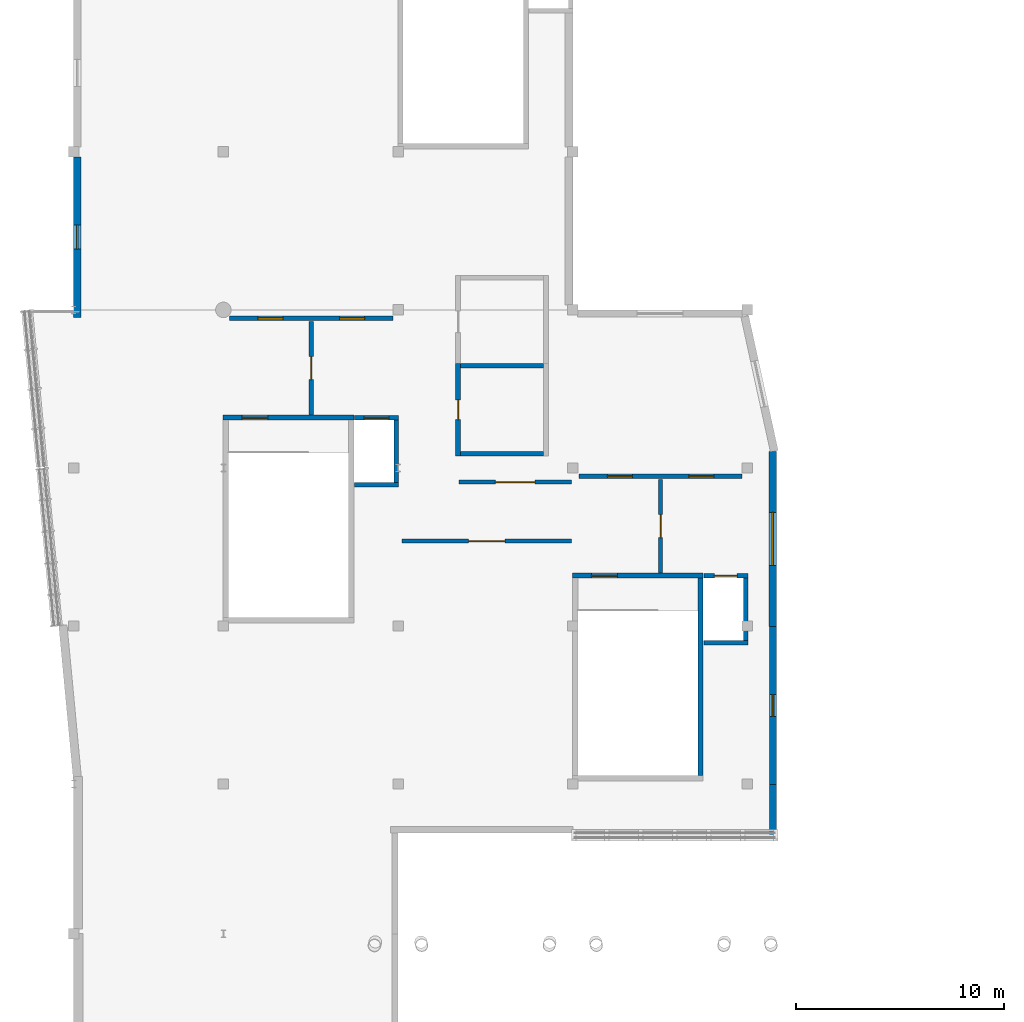
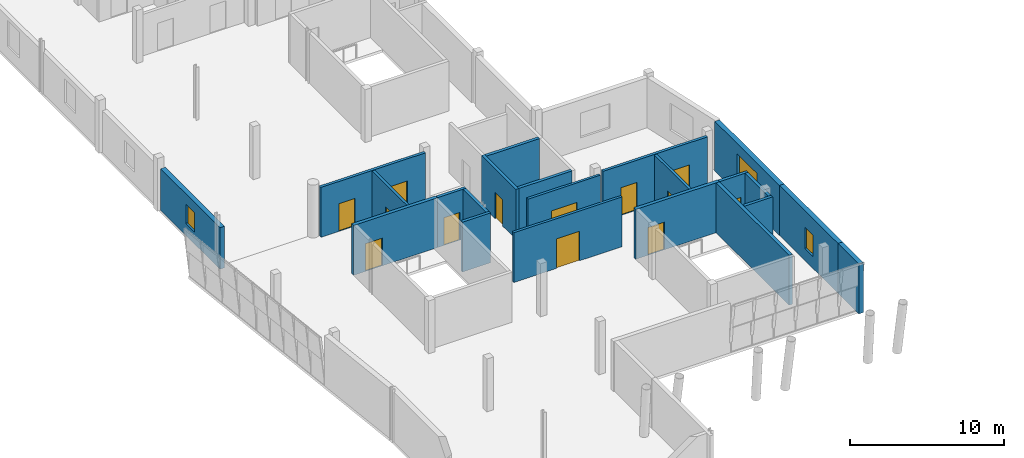
# One storey, part 11 of 17: 22 walls, 13 doors, 3 windows, 16 openings.
"""IFC4 building model written with IfcOpenShell, lengths in metres."""

from ifc_helpers import new_model, si_unit, direction, frame, frame_2d, origin, place, context, subcontext, project, spatial, rectangle, extrude, material, layer, layer_set, type_object, element, fill, save


model = new_model("IFC4")

# Units and contexts
model_context = context("Model", 3, precision=1e-05, world=origin(), true_north=direction((0.0, 1.0)))
body_context = subcontext(model_context, "Body", "Model", "MODEL_VIEW")
ifc_project = project(units=[si_unit("LENGTHUNIT", "METRE"), si_unit("AREAUNIT", "SQUARE_METRE"), si_unit("VOLUMEUNIT", "CUBIC_METRE"), si_unit("PLANEANGLEUNIT", "RADIAN"), si_unit("MASSUNIT", "GRAM", prefix="KILO")], contexts=[model_context])

# Site, building, storey
site_placement = place(None, origin())
site = spatial("IfcSite", under=ifc_project, at=site_placement, CompositionType="ELEMENT")
building_placement = place(site_placement, origin())
building = spatial("IfcBuilding", under=site, at=building_placement, Name="Xicomal Pleat Aquarium", CompositionType="ELEMENT")
storey_placement = place(building_placement, frame((0.0, 0.0, 19.800048828125)))
storey = spatial("IfcBuildingStorey", under=building, at=storey_placement, Name="L05", CompositionType="ELEMENT", Elevation=19.800048828125)

# Wall
ifc_material_1 = material(Name="Concrete C40/50", Category="concrete")
ifc_layer_1 = layer(ifc_material_1, 0.219970703125)
ifc_layer_set_1 = layer_set([ifc_layer_1], Name="Concrete C40/50")
wall_type_1 = type_object("IfcWallType", Name="WAL-COR-220", PredefinedType="SHEAR", material=ifc_layer_set_1)
wall_1_placement = place(storey_placement, frame((16.5, 29.590087890625, 0.0), z_axis=(0.0, 0.0, 1.0), x_axis=(1.0, 0.0, 0.0)))
element("IfcWall", 1, at=wall_1_placement, inside=storey, type_object=wall_type_1, Name="L05 LF-01 lift shaft wall CW-L05-C1-LS", PredefinedType="SHEAR", context=body_context, shape_type="SweptSolid", body=[
    extrude(rectangle(XDim=2.1201171875, YDim=0.219970703125, at=frame_2d((1.06005859375, 0.0))), origin(), (0.0, 0.0, 1.0), 3.9599609375),
])

# Wall, opening, door
wall_2_placement = place(storey_placement, frame((16.5, 32.81005859375, 0.0), z_axis=(0.0, 0.0, 1.0), x_axis=(1.0, 0.0, 0.0)))
wall_2 = element("IfcWall", 2, at=wall_2_placement, inside=storey, type_object=wall_type_1, Name="L05 LF-01 lift shaft wall CW-L05-C1-LN", PredefinedType="SHEAR", context=body_context, shape_type="SweptSolid", body=[
    extrude(rectangle(XDim=2.1201171875, YDim=0.219970703125, at=frame_2d((1.06005859375, 0.0))), origin(), (0.0, 0.0, 1.0), 3.9599609375),
])
opening_1_placement = place(wall_2_placement, frame((0.4599609375, 0.0, 0.0)))
opening_1 = element("IfcOpeningElement", 3, at=opening_1_placement, cuts=wall_2, Name="Opening LD-01-L05", PredefinedType="OPENING", context=body_context, shape_type="SweptSolid", body=[
    extrude(rectangle(XDim=1.199951171875, YDim=2.199951171875, at=frame_2d((0.60009765625, 1.10009765625))), frame((0.0, 0.119873046875, 0.0), z_axis=(0.0, -1.0, 0.0), x_axis=(1.0, 0.0, 0.0)), (0.0, 0.0, 1.0), 0.239990234375),
])
ifc_material_2 = material(Name="Brushed stainless steel 304", Category="steel")
door_type_1 = type_object("IfcDoorType", Name="DOR-LD-1200x2200", OperationType="DOUBLE_DOOR_SLIDING", PredefinedType="DOOR", material=ifc_material_2)
door_1_placement = place(opening_1_placement, origin())
door_1 = element("IfcDoor", 4, at=door_1_placement, inside=storey, type_object=door_type_1, Name="L05 LF-01 sliding lift landing door", OperationType="DOUBLE_DOOR_SLIDING", OverallHeight=2.199951171875, OverallWidth=1.199951171875, PredefinedType="DOOR", context=body_context, shape_type="SweptSolid", body=[
    extrude(rectangle(XDim=1.199951171875, YDim=2.199951171875, at=frame_2d((0.60009765625, 1.10009765625))), frame((0.0, 0.02490234375, 0.0), z_axis=(0.0, -1.0, 0.0), x_axis=(1.0, 0.0, 0.0)), (0.0, 0.0, 1.0), 0.050048828125),
])
fill(opening_1, door_1)

# Walls
wall_3_placement = place(storey_placement, frame((18.510009765625, 29.699951171875, 0.0), z_axis=(0.0, 0.0, 1.0), x_axis=(0.0, 1.0, 0.0)))
element("IfcWall", 5, at=wall_3_placement, inside=storey, type_object=wall_type_1, Name="L05 LF-01 lift shaft wall CW-L05-C1-LE", PredefinedType="SHEAR", context=body_context, shape_type="SweptSolid", body=[
    extrude(rectangle(XDim=3.0, YDim=0.219970703125, at=frame_2d((1.5, 0.0))), origin(), (0.0, 0.0, 1.0), 3.9599609375),
])
wall_4_placement = place(storey_placement, frame((33.300048828125, 21.989990234375, 0.0), z_axis=(0.0, 0.0, 1.0), x_axis=(1.0, 0.0, 0.0)))
element("IfcWall", 6, at=wall_4_placement, inside=storey, type_object=wall_type_1, Name="L05 LF-02 lift shaft wall CW-L05-C2-LS", PredefinedType="SHEAR", context=body_context, shape_type="SweptSolid", body=[
    extrude(rectangle(XDim=2.119873046875, YDim=0.219970703125, at=frame_2d((1.06005859375, 0.0))), origin(), (0.0, 0.0, 1.0), 3.9599609375),
])

# Wall, opening, door
wall_5_placement = place(storey_placement, frame((33.300048828125, 25.2099609375, 0.0), z_axis=(0.0, 0.0, 1.0), x_axis=(1.0, 0.0, 0.0)))
wall_5 = element("IfcWall", 7, at=wall_5_placement, inside=storey, type_object=wall_type_1, Name="L05 LF-02 lift shaft wall CW-L05-C2-LN", PredefinedType="SHEAR", context=body_context, shape_type="SweptSolid", body=[
    extrude(rectangle(XDim=2.119873046875, YDim=0.219970703125, at=frame_2d((1.06005859375, 0.0))), origin(), (0.0, 0.0, 1.0), 3.9599609375),
])
opening_2_placement = place(wall_5_placement, frame((0.510009765625, 0.0, 0.0)))
opening_2 = element("IfcOpeningElement", 8, at=opening_2_placement, cuts=wall_5, Name="Opening LD-02-L05", PredefinedType="OPENING", context=body_context, shape_type="SweptSolid", body=[
    extrude(rectangle(XDim=1.10009765625, YDim=2.14990234375, at=frame_2d((0.550048828125, 1.074951171875))), frame((0.0, 0.119873046875, 0.0), z_axis=(0.0, -1.0, 0.0), x_axis=(1.0, 0.0, 0.0)), (0.0, 0.0, 1.0), 0.239990234375),
])
ifc_material_3 = material(Name="Brushed stainless steel 304", Category="steel")
door_type_2 = type_object("IfcDoorType", Name="DOR-LD-1100x2150", OperationType="DOUBLE_DOOR_SLIDING", PredefinedType="DOOR", material=ifc_material_3)
door_2_placement = place(opening_2_placement, origin())
door_2 = element("IfcDoor", 9, at=door_2_placement, inside=storey, type_object=door_type_2, Name="L05 LF-02 sliding lift landing door", OperationType="DOUBLE_DOOR_SLIDING", OverallHeight=2.14990234375, OverallWidth=1.10009765625, PredefinedType="DOOR", context=body_context, shape_type="SweptSolid", body=[
    extrude(rectangle(XDim=1.10009765625, YDim=2.14990234375, at=frame_2d((0.550048828125, 1.074951171875))), frame((0.0, 0.02490234375, 0.0), z_axis=(0.0, -1.0, 0.0), x_axis=(1.0, 0.0, 0.0)), (0.0, 0.0, 1.0), 0.050048828125),
])
fill(opening_2, door_2)

# Wall
wall_6_placement = place(storey_placement, frame((35.31005859375, 22.10009765625, 0.0), z_axis=(0.0, 0.0, 1.0), x_axis=(0.0, 1.0, 0.0)))
element("IfcWall", 10, at=wall_6_placement, inside=storey, type_object=wall_type_1, Name="L05 LF-02 lift shaft wall CW-L05-C2-LE", PredefinedType="SHEAR", context=body_context, shape_type="SweptSolid", body=[
    extrude(rectangle(XDim=3.0, YDim=0.219970703125, at=frame_2d((1.5, 0.0))), origin(), (0.0, 0.0, 1.0), 3.9599609375),
])

# Wall, opening, door
ifc_material_4 = material(Name="Concrete C40/50", Category="concrete")
ifc_layer_2 = layer(ifc_material_4, 0.25)
ifc_layer_set_2 = layer_set([ifc_layer_2], Name="Concrete C40/50")
wall_type_2 = type_object("IfcWallType", Name="WAL-COR-250", PredefinedType="SHEAR", material=ifc_layer_set_2)
wall_7_placement = place(storey_placement, frame((10.18994140625, 32.824951171875, 0.0), z_axis=(0.0, 0.0, 1.0), x_axis=(1.0, 0.0, 0.0)))
wall_7 = element("IfcWall", 11, at=wall_7_placement, inside=storey, type_object=wall_type_2, Name="L05 CORE-1 stair shear wall CW-L05-C1-SN", PredefinedType="SHEAR", context=body_context, shape_type="SweptSolid", body=[
    extrude(rectangle(XDim=6.280029296875, YDim=0.25, at=frame_2d((3.14013671875, 0.0))), origin(), (0.0, 0.0, 1.0), 3.9599609375),
])
opening_3_placement = place(wall_7_placement, frame((0.89990234375, 0.0, 0.0)))
opening_3 = element("IfcOpeningElement", 12, at=opening_3_placement, cuts=wall_7, Name="Opening SD-01-L05", PredefinedType="OPENING", context=body_context, shape_type="SweptSolid", body=[
    extrude(rectangle(XDim=1.25, YDim=2.199951171875, at=frame_2d((0.625, 1.10009765625))), frame((0.0, 0.135009765625, 0.0), z_axis=(0.0, -1.0, 0.0), x_axis=(1.0, 0.0, 0.0)), (0.0, 0.0, 1.0), 0.27001953125),
])
ifc_material_5 = material(Name="Powder-coated steel fire door", Category="steel")
door_type_3 = type_object("IfcDoorType", Name="DOR-ST-1250x2200", OperationType="NOTDEFINED", PredefinedType="DOOR", material=ifc_material_5)
door_3_placement = place(opening_3_placement, origin())
door_3 = element("IfcDoor", 13, at=door_3_placement, inside=storey, type_object=door_type_3, Name="L05 ST-01 protected stair door", OperationType="SINGLE_SWING_LEFT", OverallHeight=2.199951171875, OverallWidth=1.25, PredefinedType="DOOR", context=body_context, shape_type="SweptSolid", body=[
    extrude(rectangle(XDim=1.25, YDim=2.199951171875, at=frame_2d((0.625, 1.10009765625))), frame((0.0, 0.02490234375, 0.0), z_axis=(0.0, -1.0, 0.0), x_axis=(1.0, 0.0, 0.0)), (0.0, 0.0, 1.0), 0.050048828125),
])
fill(opening_3, door_3)

wall_8_placement = place(storey_placement, frame((26.989990234375, 25.22509765625, 0.0), z_axis=(0.0, 0.0, 1.0), x_axis=(1.0, 0.0, 0.0)))
wall_8 = element("IfcWall", 14, at=wall_8_placement, inside=storey, type_object=wall_type_2, Name="L05 CORE-2 stair shear wall CW-L05-C2-SN", PredefinedType="SHEAR", context=body_context, shape_type="SweptSolid", body=[
    extrude(rectangle(XDim=6.280029296875, YDim=0.25, at=frame_2d((3.14013671875, 0.0))), origin(), (0.0, 0.0, 1.0), 3.9599609375),
])
opening_4_placement = place(wall_8_placement, frame((0.89990234375, 0.0, 0.0)))
opening_4 = element("IfcOpeningElement", 15, at=opening_4_placement, cuts=wall_8, Name="Opening SD-02-L05", PredefinedType="OPENING", context=body_context, shape_type="SweptSolid", body=[
    extrude(rectangle(XDim=1.25, YDim=2.199951171875, at=frame_2d((0.625, 1.10009765625))), frame((0.0, 0.135009765625, 0.0), z_axis=(0.0, -1.0, 0.0), x_axis=(1.0, 0.0, 0.0)), (0.0, 0.0, 1.0), 0.27001953125),
])
door_4_placement = place(opening_4_placement, origin())
door_4 = element("IfcDoor", 16, at=door_4_placement, inside=storey, type_object=door_type_3, Name="L05 ST-02 protected stair door", OperationType="SINGLE_SWING_LEFT", OverallHeight=2.199951171875, OverallWidth=1.25, PredefinedType="DOOR", context=body_context, shape_type="SweptSolid", body=[
    extrude(rectangle(XDim=1.25, YDim=2.199951171875, at=frame_2d((0.625, 1.10009765625))), frame((0.0, 0.02490234375, 0.0), z_axis=(0.0, -1.0, 0.0), x_axis=(1.0, 0.0, 0.0)), (0.0, 0.0, 1.0), 0.050048828125),
])
fill(opening_4, door_4)

# Wall
wall_9_placement = place(storey_placement, frame((33.14501953125, 15.60009765625, 0.0), z_axis=(0.0, 0.0, 1.0), x_axis=(0.0, 1.0, 0.0)))
element("IfcWall", 17, at=wall_9_placement, inside=storey, type_object=wall_type_2, Name="L05 CORE-2 stair shear wall CW-L05-C2-SE", PredefinedType="SHEAR", context=body_context, shape_type="SweptSolid", body=[
    extrude(rectangle(XDim=9.5, YDim=0.25, at=frame_2d((4.75, 0.0))), origin(), (0.0, 0.0, 1.0), 3.9599609375),
])

# Wall, opening, window
ifc_material_6 = material(Name="Volcanic basalt recinto masonry and concrete C40/50", Category="masonry")
ifc_layer_3 = layer(ifc_material_6, 0.35009765625)
ifc_layer_set_3 = layer_set([ifc_layer_3], Name="Volcanic basalt recinto masonry and concrete C40/50")
wall_type_3 = type_object("IfcWallType", Name="WAL-EXT-BAS-350", PredefinedType="SOLIDWALL", material=ifc_layer_set_3)
wall_10_placement = place(storey_placement, frame((36.625, 22.780029296875, 0.0), z_axis=(0.0, 0.0, 1.0), x_axis=(0.0, -1.0, 0.0)))
wall_10 = element("IfcWall", 18, at=wall_10_placement, inside=storey, type_object=wall_type_3, Name="L05 exterior basalt-precast wall EW-L05-013", PredefinedType="SOLIDWALL", context=body_context, shape_type="SweptSolid", body=[
    extrude(rectangle(XDim=7.60009765625, YDim=0.35009765625, at=frame_2d((3.800048828125, 0.0))), origin(), (0.0, 0.0, 1.0), 3.9599609375),
])
opening_5_placement = place(wall_10_placement, frame((3.27490234375, 0.0, 0.949951171875)))
opening_5 = element("IfcOpeningElement", 19, at=opening_5_placement, cuts=wall_10, Name="Opening WN-14", PredefinedType="OPENING", context=body_context, shape_type="SweptSolid", body=[
    extrude(rectangle(XDim=1.050048828125, YDim=1.699951171875, at=frame_2d((0.52490234375, 0.85009765625))), frame((0.0, 0.18505859375, 0.0), z_axis=(0.0, -1.0, 0.0), x_axis=(1.0, 0.0, 0.0)), (0.0, 0.0, 1.0), 0.3701171875),
])
ifc_material_7 = material(Name="Insulated low-E laminated glass", Category="glass")
window_type_1 = type_object("IfcWindowType", Name="WIN-EXT-1050x1700", PartitioningType="SINGLE_PANEL", PredefinedType="WINDOW", material=ifc_material_7)
window_1_placement = place(opening_5_placement, origin())
window_1 = element("IfcWindow", 20, at=window_1_placement, inside=storey, type_object=window_type_1, Name="L05 thermally broken low-E window 86", OverallHeight=1.699951171875, OverallWidth=1.050048828125, PartitioningType="SINGLE_PANEL", PredefinedType="WINDOW", context=body_context, shape_type="SweptSolid", body=[
    extrude(rectangle(XDim=1.050048828125, YDim=1.699951171875, at=frame_2d((0.52490234375, 0.85009765625))), frame((0.0, 0.030029296875, 0.0), z_axis=(0.0, -1.0, 0.0), x_axis=(1.0, 0.0, 0.0)), (0.0, 0.0, 1.0), 0.06005859375),
])
fill(opening_5, window_1)

wall_11_placement = place(storey_placement, frame((3.175048828125, 37.639892578125, 0.0), z_axis=(0.0, 0.0, 1.0), x_axis=(0.0, 1.0, 0.0)))
wall_11 = element("IfcWall", 21, at=wall_11_placement, inside=storey, type_object=wall_type_3, Name="L05 exterior basalt-precast wall EW-L05-026", PredefinedType="SOLIDWALL", context=body_context, shape_type="SweptSolid", body=[
    extrude(rectangle(XDim=7.72509765625, YDim=0.35009765625, at=frame_2d((3.862548828125, 0.0))), origin(), (0.0, 0.0, 1.0), 3.304931640625),
])
opening_6_placement = place(wall_11_placement, frame((3.2880859375, 0.0, 0.949951171875)))
opening_6 = element("IfcOpeningElement", 22, at=opening_6_placement, cuts=wall_11, Name="Opening WN-15", PredefinedType="OPENING", context=body_context, shape_type="SweptSolid", body=[
    extrude(rectangle(XDim=1.14990234375, YDim=1.550048828125, at=frame_2d((0.574951171875, 0.77490234375))), frame((0.0, 0.18505859375, 0.0), z_axis=(0.0, -1.0, 0.0), x_axis=(1.0, 0.0, 0.0)), (0.0, 0.0, 1.0), 0.3701171875),
])
ifc_material_8 = material(Name="Insulated low-E laminated glass", Category="glass")
window_type_2 = type_object("IfcWindowType", Name="WIN-EXT-1150x1550", PartitioningType="SINGLE_PANEL", PredefinedType="WINDOW", material=ifc_material_8)
window_2_placement = place(opening_6_placement, origin())
window_2 = element("IfcWindow", 23, at=window_2_placement, inside=storey, type_object=window_type_2, Name="L05 thermally broken low-E window 87", OverallHeight=1.550048828125, OverallWidth=1.14990234375, PartitioningType="SINGLE_PANEL", PredefinedType="WINDOW", context=body_context, shape_type="SweptSolid", body=[
    extrude(rectangle(XDim=1.14990234375, YDim=1.550048828125, at=frame_2d((0.574951171875, 0.77490234375))), frame((0.0, 0.030029296875, 0.0), z_axis=(0.0, -1.0, 0.0), x_axis=(1.0, 0.0, 0.0)), (0.0, 0.0, 1.0), 0.06005859375),
])
fill(opening_6, window_2)

ifc_material_9 = material(Name="Volcanic basalt recinto masonry and concrete C40/50", Category="masonry")
ifc_layer_4 = layer(ifc_material_9, 0.364990234375)
ifc_layer_set_4 = layer_set([ifc_layer_4], Name="Volcanic basalt recinto masonry and concrete C40/50")
wall_type_4 = type_object("IfcWallType", Name="WAL-EXT-BAS-365", PredefinedType="SOLIDWALL", material=ifc_layer_set_4)
wall_12_placement = place(storey_placement, frame((36.616943359375, 31.19189453125, 0.0), z_axis=(0.0, 0.0, 1.0), x_axis=(0.0, -1.0, 0.0)))
wall_12 = element("IfcWall", 24, at=wall_12_placement, inside=storey, type_object=wall_type_4, Name="L05 exterior basalt-precast wall EW-L05-012", PredefinedType="SOLIDWALL", context=body_context, shape_type="SweptSolid", body=[
    extrude(rectangle(XDim=8.411865234375, YDim=0.364990234375, at=frame_2d((4.2060546875, 0.0))), origin(), (0.0, 0.0, 1.0), 3.9599609375),
])
opening_7_placement = place(wall_12_placement, frame((2.930908203125, 0.0, 0.949951171875)))
opening_7 = element("IfcOpeningElement", 25, at=opening_7_placement, cuts=wall_12, Name="Opening WN-13", PredefinedType="OPENING", context=body_context, shape_type="SweptSolid", body=[
    extrude(rectangle(XDim=2.550048828125, YDim=2.199951171875, at=frame_2d((1.27490234375, 1.10009765625))), frame((0.0, 0.1923828125, 0.0), z_axis=(0.0, -1.0, 0.0), x_axis=(1.0, 0.0, 0.0)), (0.0, 0.0, 1.0), 0.385009765625),
])
ifc_material_10 = material(Name="Insulated low-E laminated glass", Category="glass")
window_type_3 = type_object("IfcWindowType", Name="WIN-EXT-2550x2200", PartitioningType="DOUBLE_PANEL_VERTICAL", PredefinedType="WINDOW", material=ifc_material_10)
window_3_placement = place(opening_7_placement, origin())
window_3 = element("IfcWindow", 26, at=window_3_placement, inside=storey, type_object=window_type_3, Name="L05 thermally broken low-E window 85", OverallHeight=2.199951171875, OverallWidth=2.550048828125, PartitioningType="SINGLE_PANEL", PredefinedType="WINDOW", context=body_context, shape_type="SweptSolid", body=[
    extrude(rectangle(XDim=2.550048828125, YDim=2.199951171875, at=frame_2d((1.27490234375, 1.10009765625))), frame((0.0, 0.030029296875, 0.0), z_axis=(0.0, -1.0, 0.0), x_axis=(1.0, 0.0, 0.0)), (0.0, 0.0, 1.0), 0.06005859375),
])
fill(opening_7, window_3)

# Wall
ifc_material_11 = material(Name="Precast concrete C40/50", Category="concrete")
ifc_layer_5 = layer(ifc_material_11, 0.340087890625)
ifc_layer_set_5 = layer_set([ifc_layer_5], Name="Precast concrete C40/50")
wall_type_5 = type_object("IfcWallType", Name="WAL-EXT-PRC-340", PredefinedType="SOLIDWALL", material=ifc_layer_set_5)
wall_13_placement = place(storey_placement, frame((36.6298828125, 15.179931640625, 0.0), z_axis=(0.0, 0.0, 1.0), x_axis=(0.0, -1.0, 0.0)))
element("IfcWall", 27, at=wall_13_placement, inside=storey, type_object=wall_type_5, Name="L05 exterior basalt-precast wall EW-L05-014", PredefinedType="SOLIDWALL", context=body_context, shape_type="SweptSolid", body=[
    extrude(rectangle(XDim=2.699951171875, YDim=0.340087890625, at=frame_2d((1.35009765625, 0.0))), origin(), (0.0, 0.0, 1.0), 3.9599609375),
])

# Wall, opening, door
ifc_material_12 = material(Name="Water-resistant cement-board wet-lab partition", Category="gypsum")
ifc_layer_6 = layer(ifc_material_12, 0.22998046875)
ifc_layer_set_6 = layer_set([ifc_layer_6], Name="Water-resistant cement-board wet-lab partition")
wall_type_6 = type_object("IfcWallType", Name="WAL-PLB-230", PredefinedType="PLUMBINGWALL", material=ifc_layer_set_6)
wall_14_placement = place(storey_placement, frame((21.485107421875, 30.969970703125, 0.0), z_axis=(0.0, 0.0, 1.0), x_axis=(0.0, 1.0, 0.0)))
wall_14 = element("IfcWall", 28, at=wall_14_placement, inside=storey, type_object=wall_type_6, Name="L05 enclosed toilet partition PT-L05-075", PredefinedType="PLUMBINGWALL", context=body_context, shape_type="SweptSolid", body=[
    extrude(rectangle(XDim=4.4599609375, YDim=0.22998046875, at=frame_2d((2.22998046875, 0.0))), origin(), (0.0, 0.0, 1.0), 3.949951171875),
])
opening_8_placement = place(wall_14_placement, frame((1.7548828125, 0.0, 0.0)))
opening_8 = element("IfcOpeningElement", 29, at=opening_8_placement, cuts=wall_14, Name="Opening DR-L05-041", PredefinedType="OPENING", context=body_context, shape_type="SweptSolid", body=[
    extrude(rectangle(XDim=0.949951171875, YDim=2.10009765625, at=frame_2d((0.47509765625, 1.050048828125))), frame((0.0, 0.125, 0.0), z_axis=(0.0, -1.0, 0.0), x_axis=(1.0, 0.0, 0.0)), (0.0, 0.0, 1.0), 0.25),
])
ifc_material_13 = material(Name="Solid-core hardwood and anodized aluminium frame", Category="wood")
door_type_4 = type_object("IfcDoorType", Name="DOR-WC-0950x2100", OperationType="NOTDEFINED", PredefinedType="DOOR", material=ifc_material_13)
door_5_placement = place(opening_8_placement, origin())
door_5 = element("IfcDoor", 30, at=door_5_placement, inside=storey, type_object=door_type_4, Name="L05 Public Toilet door DR-L05-041", OperationType="SINGLE_SWING_RIGHT", OverallHeight=2.10009765625, OverallWidth=0.949951171875, PredefinedType="DOOR", context=body_context, shape_type="SweptSolid", body=[
    extrude(rectangle(XDim=0.949951171875, YDim=2.10009765625, at=frame_2d((0.47509765625, 1.050048828125))), frame((0.0, 0.02490234375, 0.0), z_axis=(0.0, -1.0, 0.0), x_axis=(1.0, 0.0, 0.0)), (0.0, 0.0, 1.0), 0.050048828125),
])
fill(opening_8, door_5)

# Walls
for number, where, z_axis, x_axis, name in (
    (31, (21.60009765625, 31.0849609375, 0.0), (0.0, 0.0, 1.0), (1.0, 0.0, 0.0), "L05 enclosed toilet partition PT-L05-077"),
    (32, (21.60009765625, 35.31494140625, 0.0), (0.0, 0.0, 1.0), (1.0, 0.0, 0.0), "L05 enclosed toilet partition PT-L05-078"),
):
    element("IfcWall", number, at=place(storey_placement, frame(where, z_axis=z_axis, x_axis=x_axis)), inside=storey, type_object=wall_type_6, Name=name, PredefinedType="PLUMBINGWALL", context=body_context, shape_type="SweptSolid", body=[
        extrude(rectangle(XDim=4.0, YDim=0.22998046875, at=frame_2d((2.0, 0.0))), origin(), (0.0, 0.0, 1.0), 3.949951171875),
    ])

# Wall, opening, door
ifc_material_14 = material(Name="Acoustic double-stud drywall partition", Category="gypsum")
ifc_layer_7 = layer(ifc_material_14, 0.18798828125)
ifc_layer_set_7 = layer_set([ifc_layer_7], Name="Acoustic double-stud drywall partition")
wall_type_7 = type_object("IfcWallType", Name="WAL-PRT-188", PredefinedType="PARTITIONING", material=ifc_layer_set_7)
wall_15_placement = place(storey_placement, frame((26.93994140625, 29.719970703125, 0.0), z_axis=(0.0, 0.0, 1.0), x_axis=(-1.0, 0.0, 0.0)))
wall_15 = element("IfcWall", 33, at=wall_15_placement, inside=storey, type_object=wall_type_7, Name="L05 interior partition PT-L05-086", PredefinedType="PARTITIONING", context=body_context, shape_type="SweptSolid", body=[
    extrude(rectangle(XDim=5.419921875, YDim=0.18798828125, at=frame_2d((2.7099609375, 0.0))), origin(), (0.0, 0.0, 1.0), 3.949951171875),
])
opening_9_placement = place(wall_15_placement, frame((1.760009765625, 0.0, 0.0)))
opening_9 = element("IfcOpeningElement", 34, at=opening_9_placement, cuts=wall_15, Name="Opening DR-L05-045", PredefinedType="OPENING", context=body_context, shape_type="SweptSolid", body=[
    extrude(rectangle(XDim=1.89990234375, YDim=2.39990234375, at=frame_2d((0.949951171875, 1.199951171875))), frame((0.0, 0.10400390625, 0.0), z_axis=(0.0, -1.0, 0.0), x_axis=(1.0, 0.0, 0.0)), (0.0, 0.0, 1.0), 0.2080078125),
])
ifc_material_15 = material(Name="Powder-coated steel fire door", Category="steel")
door_type_5 = type_object("IfcDoorType", Name="DOR-INT-1900x2400", OperationType="DOUBLE_DOOR_SINGLE_SWING", PredefinedType="DOOR", material=ifc_material_15)
door_6_placement = place(opening_9_placement, origin())
door_6 = element("IfcDoor", 35, at=door_6_placement, inside=storey, type_object=door_type_5, Name="L05 Ambystoma Breeding Research Laboratory door DR-L05-045", OperationType="DOUBLE_DOOR_SINGLE_SWING", OverallHeight=2.39990234375, OverallWidth=1.89990234375, PredefinedType="DOOR", context=body_context, shape_type="SweptSolid", body=[
    extrude(rectangle(XDim=1.89990234375, YDim=2.39990234375, at=frame_2d((0.949951171875, 1.199951171875))), frame((0.0, 0.02490234375, 0.0), z_axis=(0.0, -1.0, 0.0), x_axis=(1.0, 0.0, 0.0)), (0.0, 0.0, 1.0), 0.050048828125),
])
fill(opening_9, door_6)

ifc_material_16 = material(Name="Acoustic double-stud drywall partition", Category="gypsum")
ifc_layer_8 = layer(ifc_material_16, 0.195068359375)
ifc_layer_set_8 = layer_set([ifc_layer_8], Name="Acoustic double-stud drywall partition")
wall_type_8 = type_object("IfcWallType", Name="WAL-PRT-195", PredefinedType="PARTITIONING", material=ifc_layer_set_8)
wall_16_placement = place(storey_placement, frame((14.425048828125, 32.949951171875, 0.0), z_axis=(0.0, 0.0, 1.0), x_axis=(0.0, 1.0, 0.0)))
wall_16 = element("IfcWall", 36, at=wall_16_placement, inside=storey, type_object=wall_type_8, Name="L05 firefighting lobby smoke divider 1", PredefinedType="PARTITIONING", context=body_context, shape_type="SweptSolid", body=[
    extrude(rectangle(XDim=4.5, YDim=0.195068359375, at=frame_2d((2.25, 0.0))), origin(), (0.0, 0.0, 1.0), 3.9599609375),
])
opening_10_placement = place(wall_16_placement, frame((1.699951171875, 0.0, 0.0)))
opening_10 = element("IfcOpeningElement", 37, at=opening_10_placement, cuts=wall_16, Name="Opening FD-01C-L05", PredefinedType="OPENING", context=body_context, shape_type="SweptSolid", body=[
    extrude(rectangle(XDim=1.10009765625, YDim=2.14990234375, at=frame_2d((0.550048828125, 1.074951171875))), frame((0.0, 0.107421875, 0.0), z_axis=(0.0, -1.0, 0.0), x_axis=(1.0, 0.0, 0.0)), (0.0, 0.0, 1.0), 0.215087890625),
])
ifc_material_17 = material(Name="Powder-coated steel fire door", Category="steel")
door_type_6 = type_object("IfcDoorType", Name="DOR-LAB-1100x2150", OperationType="NOTDEFINED", PredefinedType="DOOR", material=ifc_material_17)
door_7_placement = place(opening_10_placement, origin())
door_7 = element("IfcDoor", 38, at=door_7_placement, inside=storey, type_object=door_type_6, Name="L05 lobby interconnecting fire door 1C", OperationType="SINGLE_SWING_RIGHT", OverallHeight=2.14990234375, OverallWidth=1.10009765625, PredefinedType="DOOR", context=body_context, shape_type="SweptSolid", body=[
    extrude(rectangle(XDim=1.10009765625, YDim=2.14990234375, at=frame_2d((0.550048828125, 1.074951171875))), frame((0.0, 0.02490234375, 0.0), z_axis=(0.0, -1.0, 0.0), x_axis=(1.0, 0.0, 0.0)), (0.0, 0.0, 1.0), 0.050048828125),
])
fill(opening_10, door_7)

wall_17_placement = place(storey_placement, frame((31.22509765625, 25.35009765625, 0.0), z_axis=(0.0, 0.0, 1.0), x_axis=(0.0, 1.0, 0.0)))
wall_17 = element("IfcWall", 39, at=wall_17_placement, inside=storey, type_object=wall_type_8, Name="L05 firefighting lobby smoke divider 2", PredefinedType="PARTITIONING", context=body_context, shape_type="SweptSolid", body=[
    extrude(rectangle(XDim=4.5, YDim=0.195068359375, at=frame_2d((2.25, 0.0))), origin(), (0.0, 0.0, 1.0), 3.9599609375),
])
opening_11_placement = place(wall_17_placement, frame((1.699951171875, 0.0, 0.0)))
opening_11 = element("IfcOpeningElement", 40, at=opening_11_placement, cuts=wall_17, Name="Opening FD-02C-L05", PredefinedType="OPENING", context=body_context, shape_type="SweptSolid", body=[
    extrude(rectangle(XDim=1.10009765625, YDim=2.14990234375, at=frame_2d((0.550048828125, 1.074951171875))), frame((0.0, 0.107421875, 0.0), z_axis=(0.0, -1.0, 0.0), x_axis=(1.0, 0.0, 0.0)), (0.0, 0.0, 1.0), 0.215087890625),
])
door_8_placement = place(opening_11_placement, origin())
door_8 = element("IfcDoor", 41, at=door_8_placement, inside=storey, type_object=door_type_6, Name="L05 lobby interconnecting fire door 2C", OperationType="SINGLE_SWING_RIGHT", OverallHeight=2.14990234375, OverallWidth=1.10009765625, PredefinedType="DOOR", context=body_context, shape_type="SweptSolid", body=[
    extrude(rectangle(XDim=1.10009765625, YDim=2.14990234375, at=frame_2d((0.550048828125, 1.074951171875))), frame((0.0, 0.02490234375, 0.0), z_axis=(0.0, -1.0, 0.0), x_axis=(1.0, 0.0, 0.0)), (0.0, 0.0, 1.0), 0.050048828125),
])
fill(opening_11, door_8)

wall_18_placement = place(storey_placement, frame((18.800048828125, 26.8798828125, 0.0), z_axis=(0.0, 0.0, 1.0), x_axis=(1.0, 0.0, 0.0)))
wall_18 = element("IfcWall", 42, at=wall_18_placement, inside=storey, type_object=wall_type_8, Name="L05 interior partition PT-L05-085", PredefinedType="PARTITIONING", context=body_context, shape_type="SweptSolid", body=[
    extrude(rectangle(XDim=8.139892578125, YDim=0.195068359375, at=frame_2d((4.06982421875, 0.0))), origin(), (0.0, 0.0, 1.0), 3.949951171875),
])
opening_12_placement = place(wall_18_placement, frame((3.195068359375, 0.0, 0.0)))
opening_12 = element("IfcOpeningElement", 43, at=opening_12_placement, cuts=wall_18, Name="Opening DR-L05-044", PredefinedType="OPENING", context=body_context, shape_type="SweptSolid", body=[
    extrude(rectangle(XDim=1.75, YDim=2.35009765625, at=frame_2d((0.875, 1.175048828125))), frame((0.0, 0.107421875, 0.0), z_axis=(0.0, -1.0, 0.0), x_axis=(1.0, 0.0, 0.0)), (0.0, 0.0, 1.0), 0.215087890625),
])
ifc_material_18 = material(Name="Powder-coated steel fire door", Category="steel")
door_type_7 = type_object("IfcDoorType", Name="DOR-INT-1750x2350", OperationType="DOUBLE_DOOR_SINGLE_SWING", PredefinedType="DOOR", material=ifc_material_18)
door_9_placement = place(opening_12_placement, origin())
door_9 = element("IfcDoor", 44, at=door_9_placement, inside=storey, type_object=door_type_7, Name="L05 Panoramic Volcanic-View Cafe door DR-L05-044", OperationType="DOUBLE_DOOR_SINGLE_SWING", OverallHeight=2.35009765625, OverallWidth=1.75, PredefinedType="DOOR", context=body_context, shape_type="SweptSolid", body=[
    extrude(rectangle(XDim=1.75, YDim=2.35009765625, at=frame_2d((0.875, 1.175048828125))), frame((0.0, 0.02490234375, 0.0), z_axis=(0.0, -1.0, 0.0), x_axis=(1.0, 0.0, 0.0)), (0.0, 0.0, 1.0), 0.050048828125),
])
fill(opening_12, door_9)

# Wall, openings, doors
ifc_material_19 = material(Name="Fire-rated gypsum and mineral-wool partition", Category="gypsum")
ifc_layer_9 = layer(ifc_material_19, 0.2099609375)
ifc_layer_set_9 = layer_set([ifc_layer_9], Name="Fire-rated gypsum and mineral-wool partition")
wall_type_9 = type_object("IfcWallType", Name="WAL-PRT-210", PredefinedType="PARTITIONING", material=ifc_layer_set_9)
wall_19_placement = place(storey_placement, frame((10.5, 37.60009765625, 0.0), z_axis=(0.0, 0.0, 1.0), x_axis=(1.0, 0.0, 0.0)))
wall_19 = element("IfcWall", 45, at=wall_19_placement, inside=storey, type_object=wall_type_9, Name="L05 CORE-1 lobby fire enclosure wall", PredefinedType="PARTITIONING", context=body_context, shape_type="SweptSolid", body=[
    extrude(rectangle(XDim=7.85009765625, YDim=0.2099609375, at=frame_2d((3.925048828125, 0.0))), origin(), (0.0, 0.0, 1.0), 3.9599609375),
])
opening_13_placement = place(wall_19_placement, frame((1.362060546875, 0.0, 0.0)))
opening_13 = element("IfcOpeningElement", 46, at=opening_13_placement, cuts=wall_19, Name="Opening FD-01A-L05", PredefinedType="OPENING", context=body_context, shape_type="SweptSolid", body=[
    extrude(rectangle(XDim=1.199951171875, YDim=2.199951171875, at=frame_2d((0.60009765625, 1.10009765625))), frame((0.0, 0.114990234375, 0.0), z_axis=(0.0, -1.0, 0.0), x_axis=(1.0, 0.0, 0.0)), (0.0, 0.0, 1.0), 0.22998046875),
])
opening_14_placement = place(wall_19_placement, frame((5.287109375, 0.0, 0.0)))
opening_14 = element("IfcOpeningElement", 47, at=opening_14_placement, cuts=wall_19, Name="Opening FD-01B-L05", PredefinedType="OPENING", context=body_context, shape_type="SweptSolid", body=[
    extrude(rectangle(XDim=1.199951171875, YDim=2.199951171875, at=frame_2d((0.60009765625, 1.10009765625))), frame((0.0, 0.114990234375, 0.0), z_axis=(0.0, -1.0, 0.0), x_axis=(1.0, 0.0, 0.0)), (0.0, 0.0, 1.0), 0.22998046875),
])
ifc_material_20 = material(Name="Powder-coated steel fire door", Category="steel")
door_type_8 = type_object("IfcDoorType", Name="DOR-FFL-1200x2200", OperationType="NOTDEFINED", PredefinedType="DOOR", material=ifc_material_20)
door_10_placement = place(opening_13_placement, origin())
door_10 = element("IfcDoor", 48, at=door_10_placement, inside=storey, type_object=door_type_8, Name="L05 firefighting lobby door 1A", OperationType="SINGLE_SWING_RIGHT", OverallHeight=2.199951171875, OverallWidth=1.199951171875, PredefinedType="DOOR", context=body_context, shape_type="SweptSolid", body=[
    extrude(rectangle(XDim=1.199951171875, YDim=2.199951171875, at=frame_2d((0.60009765625, 1.10009765625))), frame((0.0, 0.02490234375, 0.0), z_axis=(0.0, -1.0, 0.0), x_axis=(1.0, 0.0, 0.0)), (0.0, 0.0, 1.0), 0.050048828125),
])
fill(opening_13, door_10)
door_11_placement = place(opening_14_placement, origin())
door_11 = element("IfcDoor", 49, at=door_11_placement, inside=storey, type_object=door_type_8, Name="L05 lift lobby door 1B", OperationType="SINGLE_SWING_LEFT", OverallHeight=2.199951171875, OverallWidth=1.199951171875, PredefinedType="DOOR", context=body_context, shape_type="SweptSolid", body=[
    extrude(rectangle(XDim=1.199951171875, YDim=2.199951171875, at=frame_2d((0.60009765625, 1.10009765625))), frame((0.0, 0.02490234375, 0.0), z_axis=(0.0, -1.0, 0.0), x_axis=(1.0, 0.0, 0.0)), (0.0, 0.0, 1.0), 0.050048828125),
])
fill(opening_14, door_11)

wall_20_placement = place(storey_placement, frame((27.300048828125, 30.0, 0.0), z_axis=(0.0, 0.0, 1.0), x_axis=(1.0, 0.0, 0.0)))
wall_20 = element("IfcWall", 50, at=wall_20_placement, inside=storey, type_object=wall_type_9, Name="L05 CORE-2 lobby fire enclosure wall", PredefinedType="PARTITIONING", context=body_context, shape_type="SweptSolid", body=[
    extrude(rectangle(XDim=7.849853515625, YDim=0.2099609375, at=frame_2d((3.9248046875, 0.0))), origin(), (0.0, 0.0, 1.0), 3.9599609375),
])
opening_15_placement = place(wall_20_placement, frame((1.362060546875, 0.0, 0.0)))
opening_15 = element("IfcOpeningElement", 51, at=opening_15_placement, cuts=wall_20, Name="Opening FD-02A-L05", PredefinedType="OPENING", context=body_context, shape_type="SweptSolid", body=[
    extrude(rectangle(XDim=1.199951171875, YDim=2.199951171875, at=frame_2d((0.60009765625, 1.10009765625))), frame((0.0, 0.114990234375, 0.0), z_axis=(0.0, -1.0, 0.0), x_axis=(1.0, 0.0, 0.0)), (0.0, 0.0, 1.0), 0.22998046875),
])
opening_16_placement = place(wall_20_placement, frame((5.287109375, 0.0, 0.0)))
opening_16 = element("IfcOpeningElement", 52, at=opening_16_placement, cuts=wall_20, Name="Opening FD-02B-L05", PredefinedType="OPENING", context=body_context, shape_type="SweptSolid", body=[
    extrude(rectangle(XDim=1.199951171875, YDim=2.199951171875, at=frame_2d((0.60009765625, 1.10009765625))), frame((0.0, 0.114990234375, 0.0), z_axis=(0.0, -1.0, 0.0), x_axis=(1.0, 0.0, 0.0)), (0.0, 0.0, 1.0), 0.22998046875),
])
door_12_placement = place(opening_15_placement, origin())
door_12 = element("IfcDoor", 53, at=door_12_placement, inside=storey, type_object=door_type_8, Name="L05 firefighting lobby door 2A", OperationType="SINGLE_SWING_RIGHT", OverallHeight=2.199951171875, OverallWidth=1.199951171875, PredefinedType="DOOR", context=body_context, shape_type="SweptSolid", body=[
    extrude(rectangle(XDim=1.199951171875, YDim=2.199951171875, at=frame_2d((0.60009765625, 1.10009765625))), frame((0.0, 0.02490234375, 0.0), z_axis=(0.0, -1.0, 0.0), x_axis=(1.0, 0.0, 0.0)), (0.0, 0.0, 1.0), 0.050048828125),
])
fill(opening_15, door_12)
door_13_placement = place(opening_16_placement, origin())
door_13 = element("IfcDoor", 54, at=door_13_placement, inside=storey, type_object=door_type_8, Name="L05 lift lobby door 2B", OperationType="SINGLE_SWING_LEFT", OverallHeight=2.199951171875, OverallWidth=1.199951171875, PredefinedType="DOOR", context=body_context, shape_type="SweptSolid", body=[
    extrude(rectangle(XDim=1.199951171875, YDim=2.199951171875, at=frame_2d((0.60009765625, 1.10009765625))), frame((0.0, 0.02490234375, 0.0), z_axis=(0.0, -1.0, 0.0), x_axis=(1.0, 0.0, 0.0)), (0.0, 0.0, 1.0), 0.050048828125),
])
fill(opening_16, door_13)

save(model, "model.ifc")
